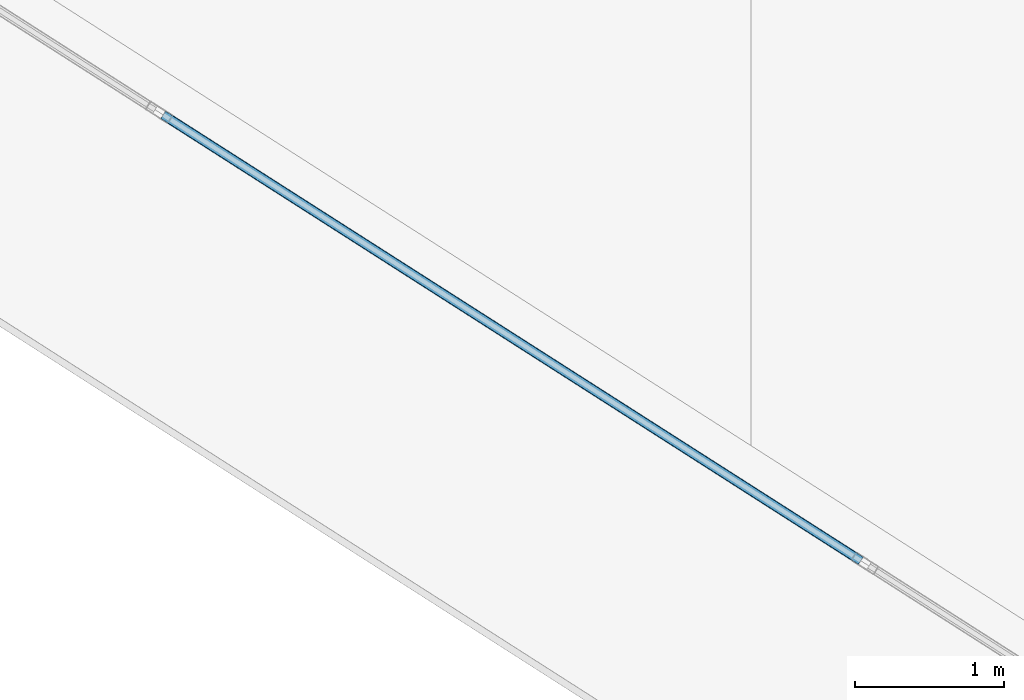
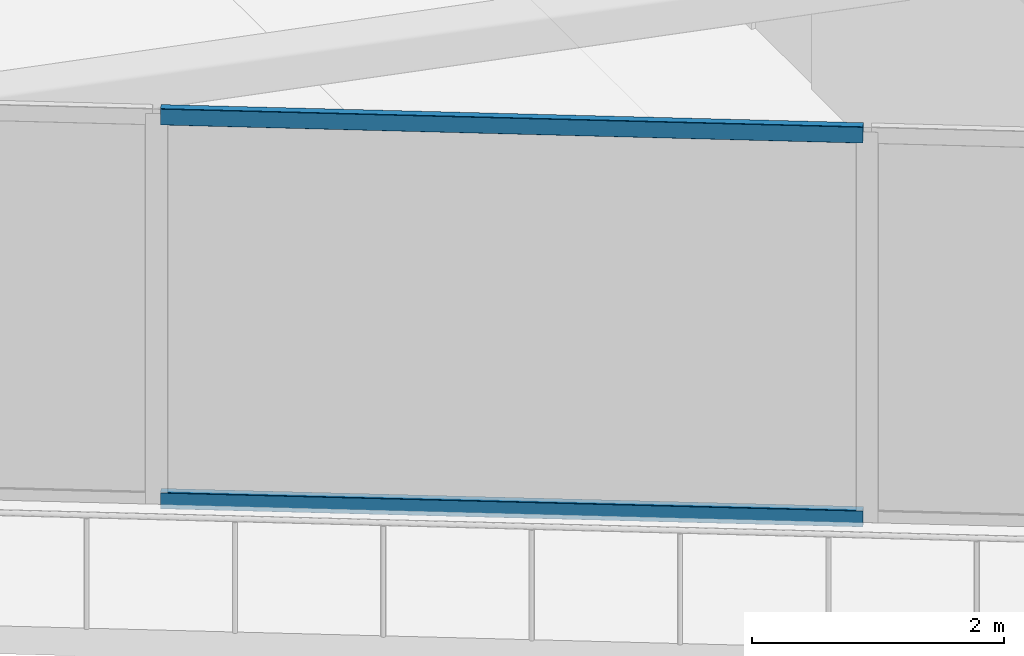
# One storey, part 6 of 39: 2 members, 1 element without a shape of its own.
"""IFC4 building model written with IfcOpenShell, lengths in metres."""

from ifc_helpers import new_model, si_unit, direction, frame, origin, origin_2d, place, context, subcontext, project, spatial, hollow_rectangle, extrude, material, layer, layer_set, material_profile, profile_set, type_object, element, aggregate, save


model = new_model("IFC4")

# Units and contexts
model_context = context("Model", 3, precision=1e-05, world=origin(), true_north=direction((0.0, 1.0)))
body_context = subcontext(model_context, "Body", "Model", "MODEL_VIEW")
ifc_project = project(units=[si_unit("LENGTHUNIT", "METRE"), si_unit("AREAUNIT", "SQUARE_METRE"), si_unit("VOLUMEUNIT", "CUBIC_METRE"), si_unit("PLANEANGLEUNIT", "RADIAN"), si_unit("MASSUNIT", "GRAM", prefix="KILO")], contexts=[model_context])

# Site, building, storey
site_placement = place(None, origin())
site = spatial("IfcSite", under=ifc_project, at=site_placement, CompositionType="ELEMENT")
building_placement = place(site_placement, origin())
building = spatial("IfcBuilding", under=site, at=building_placement, Name="Qorvath Tower", CompositionType="ELEMENT")
storey_placement = place(building_placement, frame((0.0, 0.0, 201.0)))
storey = spatial("IfcBuildingStorey", under=building, at=storey_placement, Name="L46", CompositionType="ELEMENT", Elevation=201.0)

# Curtain wall, members
ifc_material_1 = material(Name="Anodised aluminium and triple low-E glass", Category="aluminium")
ifc_layer = layer(ifc_material_1, 0.179931640625)
ifc_layer_set = layer_set([ifc_layer], Name="CW-SYS-3")
curtain_wall_type = type_object("IfcCurtainWallType", Name="CW-SYS-3", PredefinedType="NOTDEFINED", material=ifc_layer_set)
curtain_wall_placement = place(storey_placement, origin())
curtain_wall = element("IfcCurtainWall", 1, at=curtain_wall_placement, inside=storey, type_object=curtain_wall_type, Name="Curtain Wall CW-3 CW-T-L46-2.1", PredefinedType="NOTDEFINED")
ifc_material_2 = material(Name="Anodised aluminium 6063-T6", Category="aluminium")
ifc_material_profile = material_profile(ifc_material_2, hollow_rectangle(XDim=0.06494140625, YDim=0.159912109375, WallThickness=0.00341796875, InnerFilletRadius=0.00341796875, OuterFilletRadius=0.007080078125, at=origin_2d()), Name="CWT 160x65")
ifc_profile_set = profile_set([ifc_material_profile], Name="Anodised aluminium 6063-T6")
member_type = type_object("IfcMemberType", Name="CWT-160", PredefinedType="USERDEFINED", material=ifc_profile_set)
member_1_placement = place(storey_placement, frame((-45.23046875, -9.563720703125, 0.032470703125), z_axis=(0.842606844645, -0.538529205667, 0.0), x_axis=(0.538529205667, 0.842606844645, 0.0)))
member_1 = element("IfcMember", 2, at=member_1_placement, type_object=member_type, Name="CW-3 transom 3.1", ObjectType="TRANSOM", PredefinedType="USERDEFINED", context=body_context, shape_type="SweptSolid", body=[
    extrude(hollow_rectangle(XDim=0.06494140625, YDim=0.159912109375, WallThickness=0.00341796875, InnerFilletRadius=0.00341796875, OuterFilletRadius=0.007080078125, at=origin_2d()), origin(), (0.0, 0.0, 1.0), 5.5751953125),
])
member_2_placement = place(storey_placement, frame((-45.23046875, -9.563720703125, 3.74755859375), z_axis=(0.842606844645, -0.538529205667, 0.0), x_axis=(0.538529205667, 0.842606844645, 0.0)))
member_2 = element("IfcMember", 3, at=member_2_placement, type_object=member_type, Name="CW-3 transom 3.2", ObjectType="TRANSOM", PredefinedType="USERDEFINED", context=body_context, shape_type="SweptSolid", body=[
    extrude(hollow_rectangle(XDim=0.06494140625, YDim=0.159912109375, WallThickness=0.00341796875, InnerFilletRadius=0.00341796875, OuterFilletRadius=0.007080078125, at=origin_2d()), origin(), (0.0, 0.0, 1.0), 5.5751953125),
])
aggregate(curtain_wall, [member_1, member_2])

save(model, "model.ifc")
